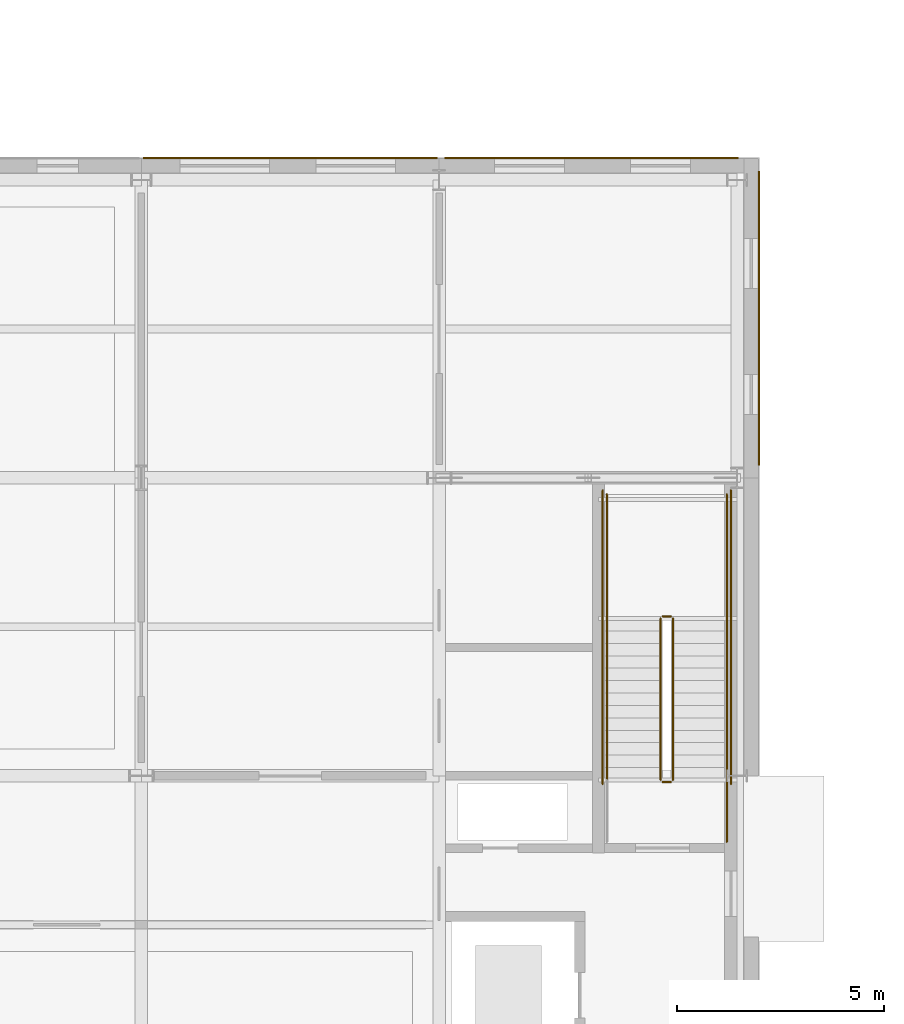
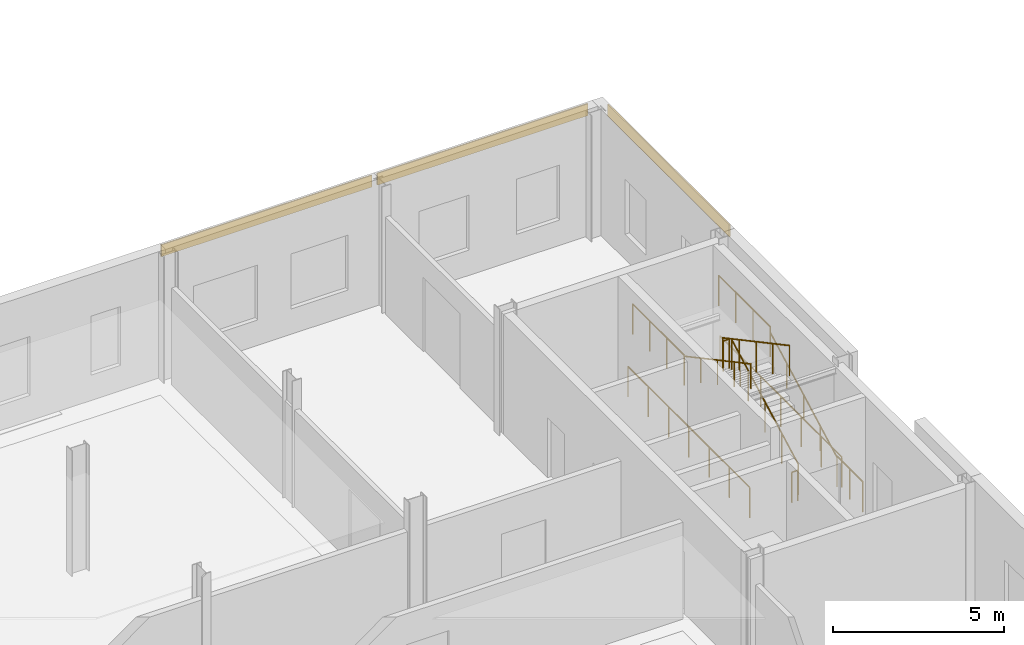
# One storey, part 84 of 92: 11 railings, 3 coverings.
"""IFC4 building model written with IfcOpenShell, lengths in metres."""

from ifc_helpers import new_model, si_unit, direction, frame, origin, origin_2d, place, context, subcontext, project, spatial, rectangle, circle, extrude, material, layer, layer_set, type_object, element, save


model = new_model("IFC4")

# Units and contexts
model_context = context("Model", 3, precision=1e-05, world=origin(), true_north=direction((0.0, 1.0)))
body_context = subcontext(model_context, "Body", "Model", "MODEL_VIEW")
ifc_project = project(units=[si_unit("LENGTHUNIT", "METRE"), si_unit("AREAUNIT", "SQUARE_METRE"), si_unit("VOLUMEUNIT", "CUBIC_METRE"), si_unit("PLANEANGLEUNIT", "RADIAN"), si_unit("MASSUNIT", "GRAM", prefix="KILO")], contexts=[model_context])

# Site, building, storey
site_placement = place(None, origin())
site = spatial("IfcSite", under=ifc_project, at=site_placement, CompositionType="ELEMENT")
building_placement = place(site_placement, origin())
building = spatial("IfcBuilding", under=site, at=building_placement, Name="Zlatovets Crest Museum", CompositionType="ELEMENT")
storey_placement = place(building_placement, origin())
storey = spatial("IfcBuildingStorey", under=building, at=storey_placement, Name="L00", CompositionType="ELEMENT", Elevation=0.0)

# Coverings
ifc_material_1 = material(Name="Polychrome turquoise-gold glazed majolica ceramic frieze")
ifc_layer = layer(ifc_material_1, 0.0400390625)
ifc_layer_set = layer_set([ifc_layer], Name="Polychrome turquoise-gold glazed majolica ceramic frieze")
covering_type = type_object("IfcCoveringType", Name="MajolicaFrieze_CL01", PredefinedType="CLADDING", material=ifc_layer_set)
for number, where, z_axis, x_axis, name in (
    (1, (108.530029296875, 111.857421875, 4.010009765625), (0.0, 0.0, 1.0), (0.0, 1.0, 0.0), "Sofia Secession Majolica Plinth Frieze"),
    (2, (104.482421875, 115.72998046875, 4.010009765625), (0.0, 0.0, 1.0), (1.0, 0.0, 0.0), "Sofia Secession Majolica Plinth Frieze"),
    (3, (97.199951171875, 115.72998046875, 4.010009765625), (0.0, 0.0, 1.0), (1.0, 0.0, 0.0), "Sofia Secession Majolica Plinth Frieze"),
):
    element("IfcCovering", number, at=place(storey_placement, frame(where, z_axis=z_axis, x_axis=x_axis)), inside=storey, type_object=covering_type, Name=name, PredefinedType="CLADDING", context=body_context, shape_type="SweptSolid", body=[
        extrude(rectangle(XDim=7.10009765625, YDim=0.0400390625, at=origin_2d()), origin(), (0.0, 0.0, 1.0), 0.419921875),
    ])

# Railings
ifc_material_2 = material(Name="Painted steel safety guardrail", Category="steel")
railing_type_1 = type_object("IfcRailingType", Name="StairGuard_SG01", PredefinedType="GUARDRAIL", material=ifc_material_2)
railing_1_placement = place(storey_placement, frame((106.449951171875, 100.699951171875, 0.16064453125)))
element("IfcRailing", 4, at=railing_1_placement, inside=storey, type_object=railing_type_1, Name="L00 ST7 stair guard 1", PredefinedType="GUARDRAIL", context=body_context, shape_type="SweptSolid", body=[
    extrude(circle(Radius=0.02392578125, at=origin_2d()), frame((0.0, 0.0, 1.076171875), z_axis=(0.0, 0.881480790326, 0.47221988129), x_axis=(-1.0, 0.0, 0.0)), (0.0, 0.0, 1.0), 4.424560546875),
    extrude(circle(Radius=0.02099609375, at=origin_2d()), origin(), (0.0, 0.0, 1.0), 1.052001953125),
    extrude(circle(Radius=0.02099609375, at=origin_2d()), frame((0.0, 0.97509765625, 0.5224609375)), (0.0, 0.0, 1.0), 1.052001953125),
    extrude(circle(Radius=0.02099609375, at=origin_2d()), frame((0.0, 1.9501953125, 1.044677734375)), (0.0, 0.0, 1.0), 1.052001953125),
    extrude(circle(Radius=0.02099609375, at=origin_2d()), frame((0.0, 2.925048828125, 1.56689453125)), (0.0, 0.0, 1.0), 1.052001953125),
    extrude(circle(Radius=0.02099609375, at=origin_2d()), frame((0.0, 3.900146484375, 2.08935546875)), (0.0, 0.0, 1.0), 1.052001953125),
])
railing_2_placement = place(storey_placement, frame((106.39990234375, 104.64990234375, 2.25)))
element("IfcRailing", 5, at=railing_2_placement, inside=storey, type_object=railing_type_1, Name="L00 ST7 stair guard 2", PredefinedType="GUARDRAIL", context=body_context, shape_type="SweptSolid", body=[
    extrude(circle(Radius=0.02392578125, at=origin_2d()), frame((0.0, 0.0, 1.076171875), z_axis=(-1.0, 0.0, 0.0), x_axis=(0.0, -1.0, 0.0)), (0.0, 0.0, 1.0), 0.199951171875),
    extrude(circle(Radius=0.02099609375, at=origin_2d()), origin(), (0.0, 0.0, 1.0), 1.052001953125),
    extrude(circle(Radius=0.02099609375, at=origin_2d()), frame((-0.199951171875, 0.0, 0.0)), (0.0, 0.0, 1.0), 1.052001953125),
])
for number, where, name in (
    (6, (107.75, 104.60009765625, 2.25), "L00 ST7 stair guard 3"),
    (7, (104.85009765625, 104.60009765625, 2.25), "L00 ST7 stair guard 4"),
):
    element("IfcRailing", number, at=place(storey_placement, frame(where)), inside=storey, type_object=railing_type_1, Name=name, PredefinedType="GUARDRAIL", context=body_context, shape_type="SweptSolid", body=[
        extrude(circle(Radius=0.02392578125, at=origin_2d()), frame((0.0, 0.0, 1.076171875), z_axis=(0.0, 1.0, 0.0), x_axis=(-1.0, 0.0, 0.0)), (0.0, 0.0, 1.0), 3.0),
        extrude(circle(Radius=0.02099609375, at=origin_2d()), origin(), (0.0, 0.0, 1.0), 1.052001953125),
        extrude(circle(Radius=0.02099609375, at=origin_2d()), frame((0.0, 1.0, 0.0)), (0.0, 0.0, 1.0), 1.052001953125),
        extrude(circle(Radius=0.02099609375, at=origin_2d()), frame((0.0, 2.0, 0.0)), (0.0, 0.0, 1.0), 1.052001953125),
        extrude(circle(Radius=0.02099609375, at=origin_2d()), frame((0.0, 3.0, 0.0)), (0.0, 0.0, 1.0), 1.052001953125),
    ])
railing_3_placement = place(storey_placement, frame((106.14990234375, 104.60009765625, 2.41064453125)))
element("IfcRailing", 8, at=railing_3_placement, inside=storey, type_object=railing_type_1, Name="L00 ST7 stair guard 5", PredefinedType="GUARDRAIL", context=body_context, shape_type="SweptSolid", body=[
    extrude(circle(Radius=0.02392578125, at=origin_2d()), frame((0.0, 0.0, 1.076171875), z_axis=(0.0, -0.881480790326, 0.47221988129), x_axis=(1.0, 0.0, 0.0)), (0.0, 0.0, 1.0), 4.424560546875),
    extrude(circle(Radius=0.02099609375, at=origin_2d()), origin(), (0.0, 0.0, 1.0), 1.052001953125),
    extrude(circle(Radius=0.02099609375, at=origin_2d()), frame((0.0, -0.97509765625, 0.5224609375)), (0.0, 0.0, 1.0), 1.052001953125),
    extrude(circle(Radius=0.02099609375, at=origin_2d()), frame((0.0, -1.9501953125, 1.044677734375)), (0.0, 0.0, 1.0), 1.052001953125),
    extrude(circle(Radius=0.02099609375, at=origin_2d()), frame((0.0, -2.925048828125, 1.56689453125)), (0.0, 0.0, 1.0), 1.052001953125),
    extrude(circle(Radius=0.02099609375, at=origin_2d()), frame((0.0, -3.900146484375, 2.08935546875)), (0.0, 0.0, 1.0), 1.052001953125),
])
railing_4_placement = place(storey_placement, frame((106.39990234375, 100.64990234375, 0.0)))
element("IfcRailing", 9, at=railing_4_placement, inside=storey, type_object=railing_type_1, Name="L00 ST7 stair guard 6", PredefinedType="GUARDRAIL", context=body_context, shape_type="SweptSolid", body=[
    extrude(circle(Radius=0.02392578125, at=origin_2d()), frame((0.0, 0.0, 1.076171875), z_axis=(-1.0, 0.0, 0.0), x_axis=(0.0, -1.0, 0.0)), (0.0, 0.0, 1.0), 0.199951171875),
    extrude(circle(Radius=0.02099609375, at=origin_2d()), origin(), (0.0, 0.0, 1.0), 1.052001953125),
    extrude(circle(Radius=0.02099609375, at=origin_2d()), frame((-0.199951171875, 0.0, 0.0)), (0.0, 0.0, 1.0), 1.052001953125),
])
railing_5_placement = place(storey_placement, frame((107.75, 99.199951171875, 0.0)))
element("IfcRailing", 10, at=railing_5_placement, inside=storey, type_object=railing_type_1, Name="L00 ST7 stair guard 7", PredefinedType="GUARDRAIL", context=body_context, shape_type="SweptSolid", body=[
    extrude(circle(Radius=0.02392578125, at=origin_2d()), frame((0.0, 0.0, 1.076171875), z_axis=(0.0, 1.0, 0.0), x_axis=(-1.0, 0.0, 0.0)), (0.0, 0.0, 1.0), 1.5),
    extrude(circle(Radius=0.02099609375, at=origin_2d()), origin(), (0.0, 0.0, 1.0), 1.052001953125),
    extrude(circle(Radius=0.02099609375, at=origin_2d()), frame((0.0, 0.75, 0.0)), (0.0, 0.0, 1.0), 1.052001953125),
    extrude(circle(Radius=0.02099609375, at=origin_2d()), frame((0.0, 1.5, 0.0)), (0.0, 0.0, 1.0), 1.052001953125),
])
for number, where, name in (
    (11, (107.85009765625, 100.60009765625, 0.0), "L00 ST7 stair guard 9"),
    (12, (104.75, 100.60009765625, 0.0), "L00 ST7 stair guard 10"),
):
    element("IfcRailing", number, at=place(storey_placement, frame(where)), inside=storey, type_object=railing_type_1, Name=name, PredefinedType="GUARDRAIL", context=body_context, shape_type="SweptSolid", body=[
        extrude(circle(Radius=0.02392578125, at=origin_2d()), frame((0.0, 0.0, 1.076171875), z_axis=(0.0, 1.0, 0.0), x_axis=(-1.0, 0.0, 0.0)), (0.0, 0.0, 1.0), 7.099853515625),
        extrude(circle(Radius=0.02099609375, at=origin_2d()), origin(), (0.0, 0.0, 1.0), 1.052001953125),
        extrude(circle(Radius=0.02099609375, at=origin_2d()), frame((0.0, 1.183349609375, 0.0)), (0.0, 0.0, 1.0), 1.052001953125),
        extrude(circle(Radius=0.02099609375, at=origin_2d()), frame((0.0, 2.36669921875, 0.0)), (0.0, 0.0, 1.0), 1.052001953125),
        extrude(circle(Radius=0.02099609375, at=origin_2d()), frame((0.0, 3.5498046875, 0.0)), (0.0, 0.0, 1.0), 1.052001953125),
        extrude(circle(Radius=0.02099609375, at=origin_2d()), frame((0.0, 4.733154296875, 0.0)), (0.0, 0.0, 1.0), 1.052001953125),
        extrude(circle(Radius=0.02099609375, at=origin_2d()), frame((0.0, 5.91650390625, 0.0)), (0.0, 0.0, 1.0), 1.052001953125),
        extrude(circle(Radius=0.02099609375, at=origin_2d()), frame((0.0, 7.099853515625, 0.0)), (0.0, 0.0, 1.0), 1.052001953125),
    ])
ifc_material_3 = material(Name="Brushed bronze stair handrail")
railing_type_2 = type_object("IfcRailingType", Name="StairHandrail_SH01", PredefinedType="HANDRAIL", material=ifc_material_3)
railing_6_placement = place(storey_placement, frame((107.75, 100.699951171875, 0.16064453125)))
element("IfcRailing", 13, at=railing_6_placement, inside=storey, type_object=railing_type_2, Name="L00 ST7 stair handrail 1", PredefinedType="HANDRAIL", context=body_context, shape_type="SweptSolid", body=[
    extrude(circle(Radius=0.02392578125, at=origin_2d()), frame((0.0, 0.0, 0.8759765625), z_axis=(0.0, 0.881480790326, 0.47221988129), x_axis=(-1.0, 0.0, 0.0)), (0.0, 0.0, 1.0), 4.424560546875),
    extrude(circle(Radius=0.02099609375, at=origin_2d()), origin(), (0.0, 0.0, 1.0), 0.851806640625),
    extrude(circle(Radius=0.02099609375, at=origin_2d()), frame((0.0, 0.97509765625, 0.5224609375)), (0.0, 0.0, 1.0), 0.851806640625),
    extrude(circle(Radius=0.02099609375, at=origin_2d()), frame((0.0, 1.9501953125, 1.044677734375)), (0.0, 0.0, 1.0), 0.851806640625),
    extrude(circle(Radius=0.02099609375, at=origin_2d()), frame((0.0, 2.925048828125, 1.56689453125)), (0.0, 0.0, 1.0), 0.851806640625),
    extrude(circle(Radius=0.02099609375, at=origin_2d()), frame((0.0, 3.900146484375, 2.08935546875)), (0.0, 0.0, 1.0), 0.851806640625),
])
railing_7_placement = place(storey_placement, frame((104.85009765625, 104.60009765625, 2.41064453125)))
element("IfcRailing", 14, at=railing_7_placement, inside=storey, type_object=railing_type_2, Name="L00 ST7 stair handrail 2", PredefinedType="HANDRAIL", context=body_context, shape_type="SweptSolid", body=[
    extrude(circle(Radius=0.02392578125, at=origin_2d()), frame((0.0, 0.0, 0.8759765625), z_axis=(0.0, -0.881480790326, 0.47221988129), x_axis=(1.0, 0.0, 0.0)), (0.0, 0.0, 1.0), 4.424560546875),
    extrude(circle(Radius=0.02099609375, at=origin_2d()), origin(), (0.0, 0.0, 1.0), 0.851806640625),
    extrude(circle(Radius=0.02099609375, at=origin_2d()), frame((0.0, -0.97509765625, 0.5224609375)), (0.0, 0.0, 1.0), 0.851806640625),
    extrude(circle(Radius=0.02099609375, at=origin_2d()), frame((0.0, -1.9501953125, 1.044677734375)), (0.0, 0.0, 1.0), 0.851806640625),
    extrude(circle(Radius=0.02099609375, at=origin_2d()), frame((0.0, -2.925048828125, 1.56689453125)), (0.0, 0.0, 1.0), 0.851806640625),
    extrude(circle(Radius=0.02099609375, at=origin_2d()), frame((0.0, -3.900146484375, 2.08935546875)), (0.0, 0.0, 1.0), 0.851806640625),
])

save(model, "model.ifc")
